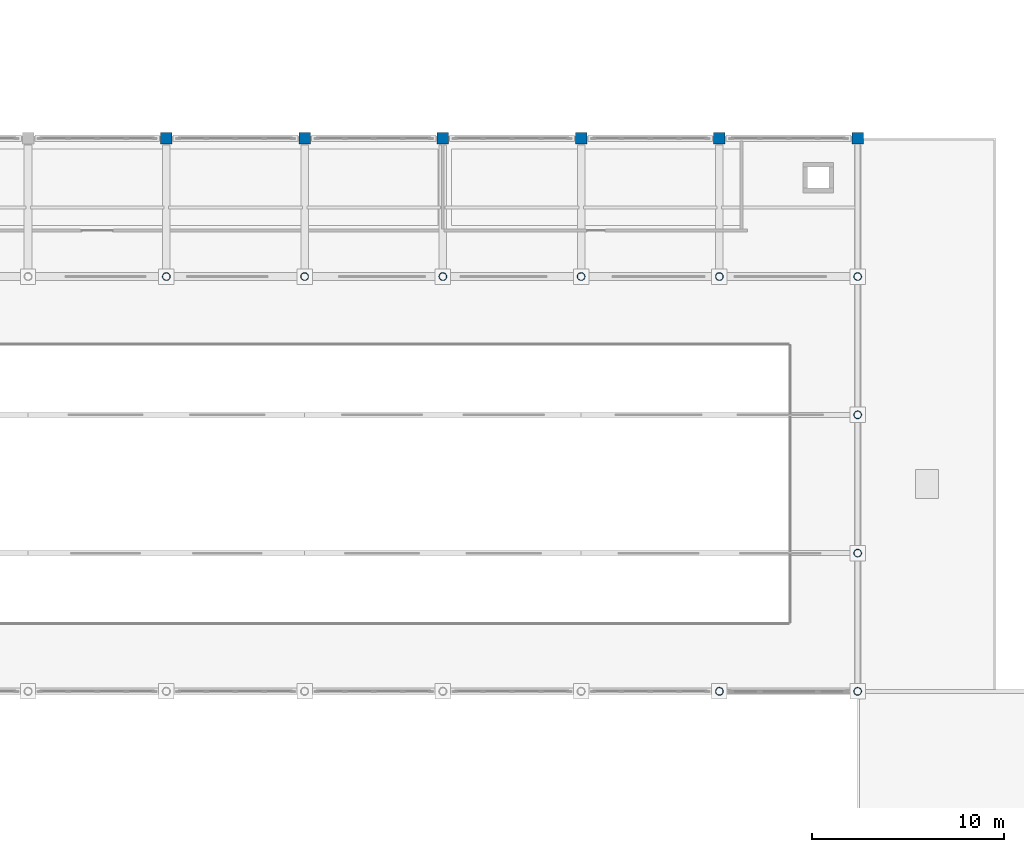
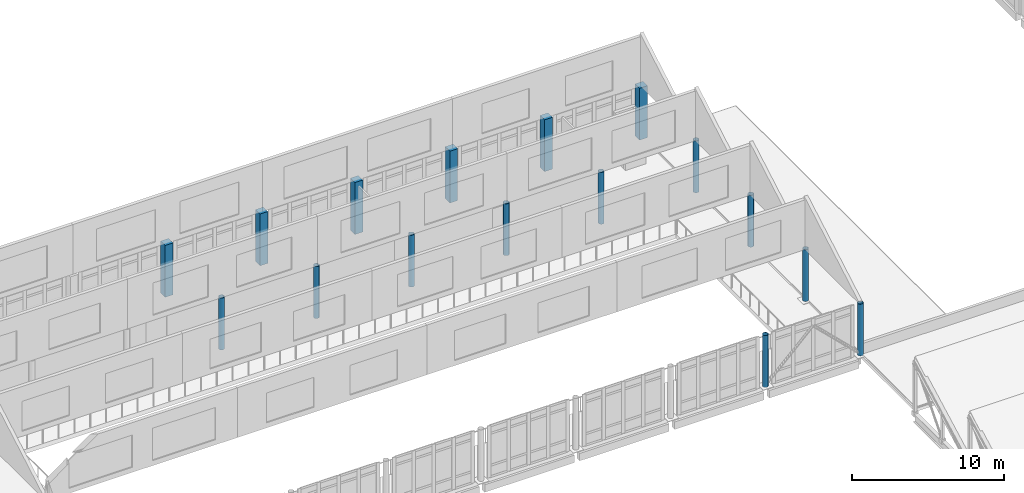
# One storey, part 5 of 62: 16 columns.
"""IFC4 building model written with IfcOpenShell, lengths in metres."""

from ifc_helpers import new_model, si_unit, direction, frame, origin, origin_2d, place, context, subcontext, project, spatial, rectangle, hollow_circle, extrude, material, material_profile, profile_set, type_object, element, save


model = new_model("IFC4")

# Units and contexts
model_context = context("Model", 3, precision=1e-05, world=origin(), true_north=direction((0.0, 1.0)))
body_context = subcontext(model_context, "Body", "Model", "MODEL_VIEW")
ifc_project = project(units=[si_unit("LENGTHUNIT", "METRE"), si_unit("AREAUNIT", "SQUARE_METRE"), si_unit("VOLUMEUNIT", "CUBIC_METRE"), si_unit("PLANEANGLEUNIT", "RADIAN"), si_unit("MASSUNIT", "GRAM", prefix="KILO")], contexts=[model_context])

# Site, building, storey
site_placement = place(None, origin())
site = spatial("IfcSite", under=ifc_project, at=site_placement, CompositionType="ELEMENT")
building_placement = place(site_placement, origin())
building = spatial("IfcBuilding", under=site, at=building_placement, Name="Valkovuoma Quantum and Materials Research Institute", CompositionType="ELEMENT")
storey_placement = place(building_placement, frame((0.0, 0.0, 13.1201171875)))
storey = spatial("IfcBuildingStorey", under=building, at=storey_placement, Name="L03", CompositionType="ELEMENT", Elevation=13.1201171875)

# Columns
ifc_material_1 = material(Name="Steel S355J2H", Category="steel")
ifc_material_profile_1 = material_profile(ifc_material_1, hollow_circle(Radius=0.203125, WallThickness=0.01611328125, at=origin_2d()), Name="Steel S355J2H")
ifc_profile_set_1 = profile_set([ifc_material_profile_1], Name="Steel S355J2H")
column_type_1 = type_object("IfcColumnType", Name="Col-C-CHS406", PredefinedType="COLUMN", material=ifc_profile_set_1)
for number, where, z_axis, x_axis, name in (
    (1, (64.800048828125, 57.60009765625, 0.0), (0.0, 0.0, 1.0), (1.0, 0.0, 0.0), "L03 column 10J"),
    (2, (72.0, 57.60009765625, 0.0), (0.0, 0.0, 1.0), (1.0, 0.0, 0.0), "L03 column 11J"),
    (3, (79.199951171875, 57.60009765625, 0.0), (0.0, 0.0, 1.0), (1.0, 0.0, 0.0), "L03 column 12J"),
    (4, (86.39990234375, 57.60009765625, 0.0), (0.0, 0.0, 1.0), (1.0, 0.0, 0.0), "L03 column 13J"),
    (5, (93.60009765625, 36.0, 0.0), (0.0, 0.0, 1.0), (1.0, 0.0, 0.0), "L03 column 14F"),
    (6, (93.60009765625, 57.60009765625, 0.0), (0.0, 0.0, 1.0), (1.0, 0.0, 0.0), "L03 column 14J"),
    (7, (100.800048828125, 36.0, 0.0), (0.0, 0.0, 1.0), (1.0, 0.0, 0.0), "L03 column 15F"),
    (8, (100.800048828125, 43.199951171875, 0.0), (0.0, 0.0, 1.0), (1.0, 0.0, 0.0), "L03 column 15G"),
    (9, (100.800048828125, 50.39990234375, 0.0), (0.0, 0.0, 1.0), (1.0, 0.0, 0.0), "L03 column 15H"),
    (10, (100.800048828125, 57.60009765625, 0.0), (0.0, 0.0, 1.0), (1.0, 0.0, 0.0), "L03 column 15J"),
):
    element("IfcColumn", number, at=place(storey_placement, frame(where, z_axis=z_axis, x_axis=x_axis)), inside=storey, type_object=column_type_1, Name=name, PredefinedType="COLUMN", context=body_context, shape_type="SweptSolid", body=[
        extrude(hollow_circle(Radius=0.203125, WallThickness=0.01611328125, at=origin_2d()), origin(), (0.0, 0.0, 1.0), 4.159912109375),
    ])
ifc_material_2 = material(Name="Concrete C40/50", Category="concrete")
ifc_material_profile_2 = material_profile(ifc_material_2, rectangle(XDim=0.60009765625, YDim=0.60009765625, at=origin_2d()), Name="Concrete C40/50")
ifc_profile_set_2 = profile_set([ifc_material_profile_2], Name="Concrete C40/50")
column_type_2 = type_object("IfcColumnType", Name="Col-C-RC600", PredefinedType="COLUMN", material=ifc_profile_set_2)
for number, where, z_axis, x_axis, name in (
    (11, (64.800048828125, 64.800048828125, 0.0), (0.0, 0.0, 1.0), (1.0, 0.0, 0.0), "L03 column 10K"),
    (12, (72.0, 64.800048828125, 0.0), (0.0, 0.0, 1.0), (1.0, 0.0, 0.0), "L03 column 11K"),
    (13, (79.199951171875, 64.800048828125, 0.0), (0.0, 0.0, 1.0), (1.0, 0.0, 0.0), "L03 column 12K"),
    (14, (86.39990234375, 64.800048828125, 0.0), (0.0, 0.0, 1.0), (1.0, 0.0, 0.0), "L03 column 13K"),
    (15, (93.60009765625, 64.800048828125, 0.0), (0.0, 0.0, 1.0), (1.0, 0.0, 0.0), "L03 column 14K"),
    (16, (100.800048828125, 64.800048828125, 0.0), (0.0, 0.0, 1.0), (1.0, 0.0, 0.0), "L03 column 15K"),
):
    element("IfcColumn", number, at=place(storey_placement, frame(where, z_axis=z_axis, x_axis=x_axis)), inside=storey, type_object=column_type_2, Name=name, PredefinedType="COLUMN", context=body_context, shape_type="SweptSolid", body=[
        extrude(rectangle(XDim=0.60009765625, YDim=0.60009765625, at=origin_2d()), origin(), (0.0, 0.0, 1.0), 4.159912109375),
    ])

save(model, "model.ifc")
